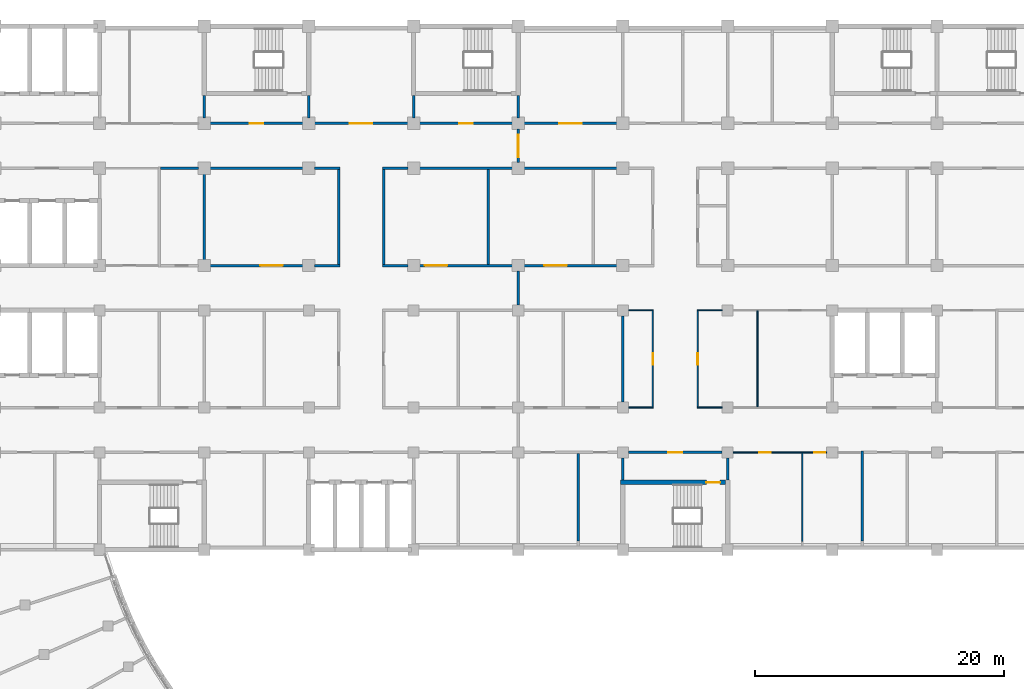
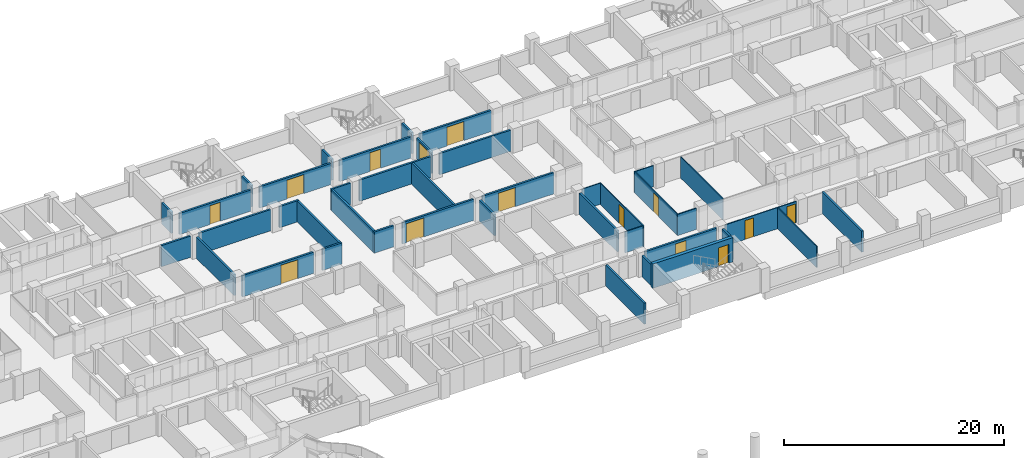
# One storey, part 49 of 89: 41 walls, 14 doors, 14 openings.
"""IFC4 building model written with IfcOpenShell, lengths in metres."""

import ifcopenshell
import ifcopenshell.guid

model = None  # the IFC model being written
_history = None  # IfcOwnerHistory: only IFC2X3 demands one
_inside = {}  # id of a spatial element -> (the spatial element, [elements in it])
_under = {}  # id of a project, library or spatial element -> (it, [spatial elements below it])
_declared = {}  # id of a project -> (the project, [libraries it declares])
_typed = {}  # id of a type object -> (the type object, [elements of that type])
_made_of = {}  # id of a material, layer set ... -> (it, [elements and type objects made of it])


def new_model(schema):
    """Start an empty IFC model of exactly this schema.

    Asked for "IFC4X3", IfcOpenShell would pick the latest addendum, in which some entities
    have other attributes; the version numbers below select the first issue.
    IFC2X3 requires an IfcOwnerHistory on every rooted entity: one is made here for all.
    """
    global model, _history
    if schema == "IFC4X3":
        model = ifcopenshell.file(schema_version=(4, 3, 0, 0))
    else:
        model = ifcopenshell.file(schema=schema)
    _inside.clear()
    _under.clear()
    _declared.clear()
    _typed.clear()
    _made_of.clear()
    _history = None
    if model.schema == "IFC2X3":
        org = make("IfcOrganization", Name="unknown")
        user = make(
            "IfcPersonAndOrganization",
            ThePerson=make("IfcPerson", FamilyName="unknown"),
            TheOrganization=org,
        )
        app = make(
            "IfcApplication",
            ApplicationDeveloper=org,
            Version="unknown",
            ApplicationFullName="unknown",
            ApplicationIdentifier="unknown",
        )
        _history = make(
            "IfcOwnerHistory",
            OwningUser=user,
            OwningApplication=app,
            ChangeAction="ADDED",
            CreationDate=0,
        )
    return model


def make(cls, **values):
    """One entity of the class cls with the attributes given. An attribute that is None is left unset."""
    return model.create_entity(
        cls, **{name: value for name, value in values.items() if value is not None}
    )


def rooted(cls, **values):
    """An entity with a GlobalId (a new one), such as an element, a storey or a relation."""
    return make(cls, GlobalId=ifcopenshell.guid.new(), OwnerHistory=_history, **values)


def si_unit(unit_type, name, prefix=None):
    """IfcSIUnit, for example si_unit("LENGTHUNIT", "METRE", prefix="MILLI")."""
    return make("IfcSIUnit", UnitType=unit_type, Prefix=prefix, Name=name)


def assignment(units):
    """IfcUnitAssignment: the units of a project."""
    return None if units is None else make("IfcUnitAssignment", Units=units)


def point(xyz):
    """IfcCartesianPoint."""
    return None if xyz is None else make("IfcCartesianPoint", Coordinates=xyz)


def direction(xyz):
    """IfcDirection."""
    return None if xyz is None else make("IfcDirection", DirectionRatios=xyz)


def frame(location, z_axis=None, x_axis=None):
    """IfcAxis2Placement3D, a coordinate frame: its origin and axes. An axis left out is left unset."""
    return make(
        "IfcAxis2Placement3D",
        Location=point(location),
        Axis=direction(z_axis),
        RefDirection=direction(x_axis),
    )


def frame_2d(location, x_axis=None):
    """IfcAxis2Placement2D, a coordinate frame in the plane: its origin and x axis."""
    return make(
        "IfcAxis2Placement2D", Location=point(location), RefDirection=direction(x_axis)
    )


def origin():
    """The frame at (0, 0, 0) with its axes left unset."""
    return frame((0.0, 0.0, 0.0))


def place(relative_to, where):
    """IfcLocalPlacement: puts the frame where relative to a parent placement (None: the world)."""
    return make(
        "IfcLocalPlacement", PlacementRelTo=relative_to, RelativePlacement=where
    )


def context(
    kind, dimensions, precision=None, world=None, true_north=None, identifier=None
):
    """IfcGeometricRepresentationContext, for example the 3D "Model" context."""
    return make(
        "IfcGeometricRepresentationContext",
        ContextIdentifier=identifier,
        ContextType=kind,
        CoordinateSpaceDimension=dimensions,
        Precision=precision,
        WorldCoordinateSystem=world,
        TrueNorth=true_north,
    )


def subcontext(parent, identifier, kind, view, scale=None):
    """IfcGeometricRepresentationSubContext, for example "Body" below "Model"."""
    return make(
        "IfcGeometricRepresentationSubContext",
        ContextIdentifier=identifier,
        ContextType=kind,
        ParentContext=parent,
        TargetScale=scale,
        TargetView=view,
    )


def project(units=None, contexts=None):
    """IfcProject with its units and contexts."""
    return rooted(
        "IfcProject",
        Name="project",
        RepresentationContexts=contexts,
        UnitsInContext=assignment(units),
    )


def spatial(cls, under=None, at=None, **own):
    """A site, building, storey or space (cls), placed at a placement, below another one or the project."""
    s = rooted(cls, ObjectPlacement=at, **own)
    if under is not None:
        _under.setdefault(under.id(), (under, []))[1].append(s)
    return s


def profile(cls, at=None, kind="AREA", **sizes):
    """A parametric profile (cls). Its sizes go by their IFC names, for example OverallWidth=200.0."""
    return make(cls, ProfileType=kind, Position=at, **sizes)


def rectangle(**sizes):
    """IfcRectangleProfileDef."""
    return profile("IfcRectangleProfileDef", **sizes)


def extrude(swept, where, along, depth):
    """IfcExtrudedAreaSolid: the profile swept, set in the frame where, extruded along a direction by depth."""
    return make(
        "IfcExtrudedAreaSolid",
        SweptArea=swept,
        Position=where,
        ExtrudedDirection=direction(along),
        Depth=depth,
    )


def shape(context_of_items, identifier, shape_type, items):
    """IfcShapeRepresentation: the items that make up one representation, for example the "Body"."""
    return make(
        "IfcShapeRepresentation",
        ContextOfItems=context_of_items,
        RepresentationIdentifier=identifier,
        RepresentationType=shape_type,
        Items=items,
    )


def material(Name=None, Category=None):
    """IfcMaterial."""
    return make("IfcMaterial", Name=Name, Category=Category)


def layer(
    of_material, thickness, ventilated=None, Name=None, Category=None, Priority=None
):
    """IfcMaterialLayer: one layer of a wall or slab, of a material (None: an air gap)."""
    return make(
        "IfcMaterialLayer",
        Material=of_material,
        LayerThickness=thickness,
        IsVentilated=ventilated,
        Name=Name,
        Category=Category,
        Priority=Priority,
    )


def layer_set(layers, Name=None):
    """IfcMaterialLayerSet."""
    return make("IfcMaterialLayerSet", MaterialLayers=layers, LayerSetName=Name)


def made_of(thing, what):
    """Note that an element or type object is made of a material, layer set ...; save() writes the relation."""
    if what is not None:
        _made_of.setdefault(what.id(), (what, []))[1].append(thing)
    return thing


def type_object(cls, material=None, **own):
    """A type object (cls), such as IfcWallType, which elements share."""
    return made_of(rooted(cls, **own), material)


def element(
    cls,
    number,
    at=None,
    inside=None,
    cuts=None,
    type_object=None,
    material=None,
    context=None,
    identifier="Body",
    shape_type=None,
    held_by="IfcProductDefinitionShape",
    body=None,
    shapes=None,
    **own,
):
    """One element of the class cls, such as IfcWall. Its Tag is "e" and its number.

    at: its placement. inside: the storey or other place that contains it. cuts: it is an
    opening in that element (IfcRelVoidsElement). A single representation is given by context,
    identifier, shape_type and body (its items); several are given by shapes. held_by: the class
    of the entity that holds the representations. save() writes the other relations.
    """
    e = rooted(cls, Tag="e%d" % number, ObjectPlacement=at, **own)
    if body is not None:
        shapes = [shape(context, identifier, shape_type, body)]
    if shapes is not None:
        e.Representation = make(held_by, Representations=shapes)
    if inside is not None:
        _inside.setdefault(inside.id(), (inside, []))[1].append(e)
    if cuts is not None:
        rooted(
            "IfcRelVoidsElement", RelatingBuildingElement=cuts, RelatedOpeningElement=e
        )
    if type_object is not None:
        _typed.setdefault(type_object.id(), (type_object, []))[1].append(e)
    return made_of(e, material)


def fill(opening, filler):
    """IfcRelFillsElement: the door or window that sits in an opening."""
    return rooted(
        "IfcRelFillsElement",
        RelatingOpeningElement=opening,
        RelatedBuildingElement=filler,
    )


def aggregate(whole, parts):
    """IfcRelAggregates: a whole, such as a stair, and the parts it consists of."""
    return rooted("IfcRelAggregates", RelatingObject=whole, RelatedObjects=parts)


def save(model, path):
    """Write the relations noted so far, then the file.

    IfcRelAggregates (storeys below a building ...), IfcRelContainedInSpatialStructure (elements
    in a storey), IfcRelDefinesByType, IfcRelAssociatesMaterial and IfcRelDeclares: one each for
    every whole, place, type object, material and project.
    """
    for whole, parts in _under.values():
        aggregate(whole, parts)
    for where, things in _inside.values():
        rooted(
            "IfcRelContainedInSpatialStructure",
            RelatedElements=things,
            RelatingStructure=where,
        )
    for kind, things in _typed.values():
        rooted("IfcRelDefinesByType", RelatedObjects=things, RelatingType=kind)
    for what, things in _made_of.values():
        rooted("IfcRelAssociatesMaterial", RelatedObjects=things, RelatingMaterial=what)
    for by, libraries in _declared.values():
        rooted("IfcRelDeclares", RelatingContext=by, RelatedDefinitions=libraries)
    model.write(path)


model = new_model("IFC4")

# Units and contexts
model_context = context("Model", 3, precision=1e-05, world=origin(), true_north=direction((0.0, 1.0)))
body_context = subcontext(model_context, "Body", "Model", "MODEL_VIEW")
ifc_project = project(units=[si_unit("LENGTHUNIT", "METRE"), si_unit("AREAUNIT", "SQUARE_METRE"), si_unit("VOLUMEUNIT", "CUBIC_METRE"), si_unit("PLANEANGLEUNIT", "RADIAN"), si_unit("MASSUNIT", "GRAM", prefix="KILO")], contexts=[model_context])

# Site, building, storey
site_placement = place(None, origin())
site = spatial("IfcSite", under=ifc_project, at=site_placement, CompositionType="ELEMENT")
building_placement = place(site_placement, origin())
building = spatial("IfcBuilding", under=site, at=building_placement, Name="Bougainvillea Quay General Hospital", CompositionType="ELEMENT")
storey_placement = place(building_placement, frame((0.0, 0.0, 9.89990234375)))
storey = spatial("IfcBuildingStorey", under=building, at=storey_placement, Name="L01M", CompositionType="ELEMENT", Elevation=9.89990234375)

# Walls
ifc_material_1 = material(Name="Gypsum board partition on steel studs", Category="steel")
ifc_layer_1 = layer(ifc_material_1, 0.10009765625)
ifc_layer_set_1 = layer_set([ifc_layer_1], Name="Gypsum board partition on steel studs")
wall_type_1 = type_object("IfcWallType", Name="Partition 100 Gypsum board partition", PredefinedType="PARTITIONING", material=ifc_layer_set_1)
for number, where, z_axis, x_axis, name in (
    (1, (125.550048828125, 136.800048828125, 0.0), (0.0, 0.0, 1.0), (-1.0, 0.0, 0.0), "Partition 100 mm"),
    (2, (123.550048828125, 129.0, 0.0), (0.0, 0.0, 1.0), (1.0, 0.0, 0.0), "Partition 100 mm"),
):
    element("IfcWall", number, at=place(storey_placement, frame(where, z_axis=z_axis, x_axis=x_axis)), inside=storey, type_object=wall_type_1, Name=name, PredefinedType="PARTITIONING", context=body_context, shape_type="SweptSolid", body=[
        extrude(rectangle(XDim=2.0, YDim=0.10009765625, at=frame_2d((1.0, 0.0))), origin(), (0.0, 0.0, 1.0), 2.35009765625),
    ])

# Wall, openings, doors
wall_1_placement = place(storey_placement, frame((126.449951171875, 125.39990234375, 0.0), z_axis=(0.0, 0.0, 1.0), x_axis=(1.0, 0.0, 0.0)))
wall_1 = element("IfcWall", 3, at=wall_1_placement, inside=storey, type_object=wall_type_1, Name="Partition 100 mm", PredefinedType="PARTITIONING", context=body_context, shape_type="SweptSolid", body=[
    extrude(rectangle(XDim=7.5, YDim=0.10009765625, at=frame_2d((3.75, 0.0))), origin(), (0.0, 0.0, 1.0), 2.35009765625),
])
opening_1_placement = place(wall_1_placement, frame((2.09912109375, 0.0, 0.0)))
opening_1 = element("IfcOpeningElement", 4, at=opening_1_placement, cuts=wall_1, Name="Opening L01M.104", PredefinedType="OPENING", context=body_context, shape_type="SweptSolid", body=[
    extrude(rectangle(XDim=0.89990234375, YDim=2.10009765625, at=frame_2d((0.449951171875, 1.050048828125))), frame((0.0, 0.06005859375, 0.0), z_axis=(0.0, -1.0, 0.0), x_axis=(1.0, 0.0, 0.0)), (0.0, 0.0, 1.0), 0.1201171875),
])
opening_2_placement = place(wall_1_placement, frame((6.498046875, 0.0, 0.0)))
opening_2 = element("IfcOpeningElement", 5, at=opening_2_placement, cuts=wall_1, Name="Opening L01M.105", PredefinedType="OPENING", context=body_context, shape_type="SweptSolid", body=[
    extrude(rectangle(XDim=0.89990234375, YDim=2.10009765625, at=frame_2d((0.449951171875, 1.050048828125))), frame((0.0, 0.06005859375, 0.0), z_axis=(0.0, -1.0, 0.0), x_axis=(1.0, 0.0, 0.0)), (0.0, 0.0, 1.0), 0.1201171875),
])
ifc_material_2 = material(Name="Solid-core timber door leaf in steel frame", Category="steel")
door_type_1 = type_object("IfcDoorType", Name="Single leaf door 900x2100", OperationType="NOTDEFINED", PredefinedType="DOOR", material=ifc_material_2)
door_1_placement = place(opening_1_placement, frame((0.89990234375, 0.0, 0.0), z_axis=(0.0, 0.0, 1.0), x_axis=(-1.0, 0.0, 0.0)))
door_1 = element("IfcDoor", 6, at=door_1_placement, inside=storey, type_object=door_type_1, Name="DT07 L01M.104", OperationType="SINGLE_SWING_RIGHT", OverallHeight=2.10009765625, OverallWidth=0.89990234375, PredefinedType="DOOR", context=body_context, shape_type="SweptSolid", body=[
    extrude(rectangle(XDim=0.89990234375, YDim=2.10009765625, at=frame_2d((0.449951171875, 1.050048828125))), frame((0.0, 0.02490234375, 0.0), z_axis=(0.0, -1.0, 0.0), x_axis=(1.0, 0.0, 0.0)), (0.0, 0.0, 1.0), 0.050048828125),
])
fill(opening_1, door_1)
door_2_placement = place(opening_2_placement, frame((0.89990234375, 0.0, 0.0), z_axis=(0.0, 0.0, 1.0), x_axis=(-1.0, 0.0, 0.0)))
door_2 = element("IfcDoor", 7, at=door_2_placement, inside=storey, type_object=door_type_1, Name="DT07 L01M.105", OperationType="SINGLE_SWING_LEFT", OverallHeight=2.10009765625, OverallWidth=0.89990234375, PredefinedType="DOOR", context=body_context, shape_type="SweptSolid", body=[
    extrude(rectangle(XDim=0.89990234375, YDim=2.10009765625, at=frame_2d((0.449951171875, 1.050048828125))), frame((0.0, 0.02490234375, 0.0), z_axis=(0.0, -1.0, 0.0), x_axis=(1.0, 0.0, 0.0)), (0.0, 0.0, 1.0), 0.050048828125),
])
fill(opening_2, door_2)

# Wall
wall_2_placement = place(storey_placement, frame((131.998046875, 118.25, 0.0), z_axis=(0.0, 0.0, 1.0), x_axis=(0.0, 1.0, 0.0)))
element("IfcWall", 8, at=wall_2_placement, inside=storey, type_object=wall_type_1, Name="Partition 100 mm", PredefinedType="PARTITIONING", context=body_context, shape_type="SweptSolid", body=[
    extrude(rectangle(XDim=7.10009765625, YDim=0.10009765625, at=frame_2d((3.550048828125, 0.0))), origin(), (0.0, 0.0, 1.0), 2.35009765625),
])

# Wall, opening, door
wall_3_placement = place(storey_placement, frame((120.0, 128.949951171875, 0.0), z_axis=(0.0, 0.0, 1.0), x_axis=(0.0, 1.0, 0.0)))
wall_3 = element("IfcWall", 9, at=wall_3_placement, inside=storey, type_object=wall_type_1, Name="Partition 100 mm", PredefinedType="PARTITIONING", context=body_context, shape_type="SweptSolid", body=[
    extrude(rectangle(XDim=7.900146484375, YDim=0.10009765625, at=frame_2d((3.9501953125, 0.0))), origin(), (0.0, 0.0, 1.0), 2.35009765625),
])
opening_3_placement = place(wall_3_placement, frame((3.5, 0.0, 0.0)))
opening_3 = element("IfcOpeningElement", 10, at=opening_3_placement, cuts=wall_3, Name="Opening L01M.109", PredefinedType="OPENING", context=body_context, shape_type="SweptSolid", body=[
    extrude(rectangle(XDim=0.89990234375, YDim=2.10009765625, at=frame_2d((0.449951171875, 1.050048828125))), frame((0.0, 0.06005859375, 0.0), z_axis=(0.0, -1.0, 0.0), x_axis=(1.0, 0.0, 0.0)), (0.0, 0.0, 1.0), 0.1201171875),
])
door_3_placement = place(opening_3_placement, origin())
door_3 = element("IfcDoor", 11, at=door_3_placement, inside=storey, type_object=door_type_1, Name="DT07 L01M.109", OperationType="SINGLE_SWING_LEFT", OverallHeight=2.10009765625, OverallWidth=0.89990234375, PredefinedType="DOOR", context=body_context, shape_type="SweptSolid", body=[
    extrude(rectangle(XDim=0.89990234375, YDim=2.10009765625, at=frame_2d((0.449951171875, 1.050048828125))), frame((0.0, 0.02490234375, 0.0), z_axis=(0.0, -1.0, 0.0), x_axis=(1.0, 0.0, 0.0)), (0.0, 0.0, 1.0), 0.050048828125),
])
fill(opening_3, door_3)

wall_4_placement = place(storey_placement, frame((123.60009765625, 129.050048828125, 0.0), z_axis=(0.0, 0.0, 1.0), x_axis=(0.0, 1.0, 0.0)))
wall_4 = element("IfcWall", 12, at=wall_4_placement, inside=storey, type_object=wall_type_1, Name="Partition 100 mm", PredefinedType="PARTITIONING", context=body_context, shape_type="SweptSolid", body=[
    extrude(rectangle(XDim=7.699951171875, YDim=0.10009765625, at=frame_2d((3.85009765625, 0.0))), origin(), (0.0, 0.0, 1.0), 2.35009765625),
])
opening_4_placement = place(wall_4_placement, frame((3.39990234375, 0.0, 0.0)))
opening_4 = element("IfcOpeningElement", 13, at=opening_4_placement, cuts=wall_4, Name="Opening L01M.110", PredefinedType="OPENING", context=body_context, shape_type="SweptSolid", body=[
    extrude(rectangle(XDim=0.89990234375, YDim=2.10009765625, at=frame_2d((0.449951171875, 1.050048828125))), frame((0.0, 0.06005859375, 0.0), z_axis=(0.0, -1.0, 0.0), x_axis=(1.0, 0.0, 0.0)), (0.0, 0.0, 1.0), 0.1201171875),
])
door_4_placement = place(opening_4_placement, frame((0.89990234375, 0.0, 0.0), z_axis=(0.0, 0.0, 1.0), x_axis=(-1.0, 0.0, 0.0)))
door_4 = element("IfcDoor", 14, at=door_4_placement, inside=storey, type_object=door_type_1, Name="DT07 L01M.110", OperationType="SINGLE_SWING_RIGHT", OverallHeight=2.10009765625, OverallWidth=0.89990234375, PredefinedType="DOOR", context=body_context, shape_type="SweptSolid", body=[
    extrude(rectangle(XDim=0.89990234375, YDim=2.10009765625, at=frame_2d((0.449951171875, 1.050048828125))), frame((0.0, 0.02490234375, 0.0), z_axis=(0.0, -1.0, 0.0), x_axis=(1.0, 0.0, 0.0)), (0.0, 0.0, 1.0), 0.050048828125),
])
fill(opening_4, door_4)

# Walls
wall_5_placement = place(storey_placement, frame((128.39990234375, 129.050048828125, 0.0), z_axis=(0.0, 0.0, 1.0), x_axis=(0.0, 1.0, 0.0)))
element("IfcWall", 15, at=wall_5_placement, inside=storey, type_object=wall_type_1, Name="Partition 100 mm", PredefinedType="PARTITIONING", context=body_context, shape_type="SweptSolid", body=[
    extrude(rectangle(XDim=7.699951171875, YDim=0.10009765625, at=frame_2d((3.85009765625, 0.0))), origin(), (0.0, 0.0, 1.0), 2.35009765625),
])
for number, where, z_axis, x_axis, name in (
    (16, (118.050048828125, 129.0, 0.0), (0.0, 0.0, 1.0), (1.0, 0.0, 0.0), "Partition 100 mm"),
    (17, (118.050048828125, 136.800048828125, 0.0), (0.0, 0.0, 1.0), (1.0, 0.0, 0.0), "Partition 100 mm"),
):
    element("IfcWall", number, at=place(storey_placement, frame(where, z_axis=z_axis, x_axis=x_axis)), inside=storey, type_object=wall_type_1, Name=name, PredefinedType="PARTITIONING", context=body_context, shape_type="SweptSolid", body=[
        extrude(rectangle(XDim=1.89990234375, YDim=0.10009765625, at=frame_2d((0.949951171875, 0.0))), origin(), (0.0, 0.0, 1.0), 2.35009765625),
    ])

# Wall, opening, door
ifc_material_3 = material(Name="Fire-rated autoclaved aerated block wall, plastered")
ifc_layer_2 = layer(ifc_material_3, 0.199951171875)
ifc_layer_set_2 = layer_set([ifc_layer_2], Name="Fire-rated autoclaved aerated block wall, plastered")
wall_type_2 = type_object("IfcWallType", Name="Partition 200 Fire-rated autoclaved aerated block wall EI 120", PredefinedType="SOLIDWALL", material=ifc_layer_set_2)
wall_6_placement = place(storey_placement, frame((117.14990234375, 151.800048828125, 0.0), z_axis=(0.0, 0.0, 1.0), x_axis=(-1.0, 0.0, 0.0)))
wall_6 = element("IfcWall", 18, at=wall_6_placement, inside=storey, type_object=wall_type_2, Name="Partition 200 mm EI 120", PredefinedType="SOLIDWALL", context=body_context, shape_type="SweptSolid", body=[
    extrude(rectangle(XDim=7.5, YDim=0.199951171875, at=frame_2d((3.75, 0.0))), origin(), (0.0, 0.0, 1.0), 2.35009765625),
])
opening_5_placement = place(wall_6_placement, frame((2.85107421875, 0.0, 0.0)))
opening_5 = element("IfcOpeningElement", 19, at=opening_5_placement, cuts=wall_6, Name="Opening L01M.141", PredefinedType="OPENING", context=body_context, shape_type="SweptSolid", body=[
    extrude(rectangle(XDim=1.800048828125, YDim=2.10009765625, at=frame_2d((0.89990234375, 1.050048828125))), frame((0.0, 0.10986328125, 0.0), z_axis=(0.0, -1.0, 0.0), x_axis=(1.0, 0.0, 0.0)), (0.0, 0.0, 1.0), 0.219970703125),
])
ifc_material_4 = material(Name="Steel fire door leaves in steel frame", Category="steel")
door_type_2 = type_object("IfcDoorType", Name="Steel double leaf door 1800x2100 FD90", OperationType="DOUBLE_DOOR_SINGLE_SWING", PredefinedType="DOOR", material=ifc_material_4)
door_5_placement = place(opening_5_placement, frame((1.800048828125, 0.0, 0.0), z_axis=(0.0, 0.0, 1.0), x_axis=(-1.0, 0.0, 0.0)))
door_5 = element("IfcDoor", 20, at=door_5_placement, inside=storey, type_object=door_type_2, Name="DT03 L01M.141", OperationType="DOUBLE_DOOR_SINGLE_SWING", OverallHeight=2.10009765625, OverallWidth=1.800048828125, PredefinedType="DOOR", context=body_context, shape_type="SweptSolid", body=[
    extrude(rectangle(XDim=1.800048828125, YDim=2.10009765625, at=frame_2d((0.89990234375, 1.050048828125))), frame((0.0, 0.02490234375, 0.0), z_axis=(0.0, -1.0, 0.0), x_axis=(1.0, 0.0, 0.0)), (0.0, 0.0, 1.0), 0.050048828125),
])
fill(opening_5, door_5)

wall_7_placement = place(storey_placement, frame((108.75, 151.800048828125, 0.0), z_axis=(0.0, 0.0, 1.0), x_axis=(-1.0, 0.0, 0.0)))
wall_7 = element("IfcWall", 21, at=wall_7_placement, inside=storey, type_object=wall_type_2, Name="Partition 200 mm EI 120", PredefinedType="SOLIDWALL", context=body_context, shape_type="SweptSolid", body=[
    extrude(rectangle(XDim=7.5, YDim=0.199951171875, at=frame_2d((3.75, 0.0))), origin(), (0.0, 0.0, 1.0), 2.35009765625),
])
opening_6_placement = place(wall_7_placement, frame((3.199951171875, 0.0, 0.0)))
opening_6 = element("IfcOpeningElement", 22, at=opening_6_placement, cuts=wall_7, Name="Opening L01M.040", PredefinedType="OPENING", context=body_context, shape_type="SweptSolid", body=[
    extrude(rectangle(XDim=1.10009765625, YDim=2.10009765625, at=frame_2d((0.550048828125, 1.050048828125))), frame((0.0, 0.10986328125, 0.0), z_axis=(0.0, -1.0, 0.0), x_axis=(1.0, 0.0, 0.0)), (0.0, 0.0, 1.0), 0.219970703125),
])
ifc_material_5 = material(Name="Steel fire door leaf in steel frame", Category="steel")
door_type_3 = type_object("IfcDoorType", Name="Steel single leaf door 1100x2100 FD60", OperationType="NOTDEFINED", PredefinedType="DOOR", material=ifc_material_5)
door_6_placement = place(opening_6_placement, frame((1.10009765625, 0.0, 0.0), z_axis=(0.0, 0.0, 1.0), x_axis=(-1.0, 0.0, 0.0)))
door_6 = element("IfcDoor", 23, at=door_6_placement, inside=storey, type_object=door_type_3, Name="DT04 L01M.040", OperationType="SINGLE_SWING_RIGHT", OverallHeight=2.10009765625, OverallWidth=1.10009765625, PredefinedType="DOOR", context=body_context, shape_type="SweptSolid", body=[
    extrude(rectangle(XDim=1.10009765625, YDim=2.10009765625, at=frame_2d((0.550048828125, 1.050048828125))), frame((0.0, 0.02490234375, 0.0), z_axis=(0.0, -1.0, 0.0), x_axis=(1.0, 0.0, 0.0)), (0.0, 0.0, 1.0), 0.050048828125),
])
fill(opening_6, door_6)

wall_8_placement = place(storey_placement, frame((125.550048828125, 125.39990234375, 0.0), z_axis=(0.0, 0.0, 1.0), x_axis=(-1.0, 0.0, 0.0)))
wall_8 = element("IfcWall", 24, at=wall_8_placement, inside=storey, type_object=wall_type_2, Name="Partition 200 mm EI 120", PredefinedType="SOLIDWALL", context=body_context, shape_type="SweptSolid", body=[
    extrude(rectangle(XDim=7.5, YDim=0.199951171875, at=frame_2d((3.75, 0.0))), origin(), (0.0, 0.0, 1.0), 2.35009765625),
])
opening_7_placement = place(wall_8_placement, frame((3.199951171875, 0.0, 0.0)))
opening_7 = element("IfcOpeningElement", 25, at=opening_7_placement, cuts=wall_8, Name="Opening L01M.037", PredefinedType="OPENING", context=body_context, shape_type="SweptSolid", body=[
    extrude(rectangle(XDim=1.10009765625, YDim=2.10009765625, at=frame_2d((0.550048828125, 1.050048828125))), frame((0.0, 0.10986328125, 0.0), z_axis=(0.0, -1.0, 0.0), x_axis=(1.0, 0.0, 0.0)), (0.0, 0.0, 1.0), 0.219970703125),
])
door_7_placement = place(opening_7_placement, origin())
door_7 = element("IfcDoor", 26, at=door_7_placement, inside=storey, type_object=door_type_3, Name="DT04 L01M.037", OperationType="SINGLE_SWING_RIGHT", OverallHeight=2.10009765625, OverallWidth=1.10009765625, PredefinedType="DOOR", context=body_context, shape_type="SweptSolid", body=[
    extrude(rectangle(XDim=1.10009765625, YDim=2.10009765625, at=frame_2d((0.550048828125, 1.050048828125))), frame((0.0, 0.02490234375, 0.0), z_axis=(0.0, -1.0, 0.0), x_axis=(1.0, 0.0, 0.0)), (0.0, 0.0, 1.0), 0.050048828125),
])
fill(opening_7, door_7)

wall_9_placement = place(storey_placement, frame((117.14990234375, 140.39990234375, 0.0), z_axis=(0.0, 0.0, 1.0), x_axis=(-1.0, 0.0, 0.0)))
wall_9 = element("IfcWall", 27, at=wall_9_placement, inside=storey, type_object=wall_type_2, Name="Partition 200 mm EI 120", PredefinedType="SOLIDWALL", context=body_context, shape_type="SweptSolid", body=[
    extrude(rectangle(XDim=7.5, YDim=0.199951171875, at=frame_2d((3.75, 0.0))), origin(), (0.0, 0.0, 1.0), 2.35009765625),
])
opening_8_placement = place(wall_9_placement, frame((4.050048828125, 0.0, 0.0)))
opening_8 = element("IfcOpeningElement", 28, at=opening_8_placement, cuts=wall_9, Name="Opening L01M.145", PredefinedType="OPENING", context=body_context, shape_type="SweptSolid", body=[
    extrude(rectangle(XDim=1.800048828125, YDim=2.10009765625, at=frame_2d((0.89990234375, 1.050048828125))), frame((0.0, 0.10986328125, 0.0), z_axis=(0.0, -1.0, 0.0), x_axis=(1.0, 0.0, 0.0)), (0.0, 0.0, 1.0), 0.219970703125),
])
door_8_placement = place(opening_8_placement, frame((1.800048828125, 0.0, 0.0), z_axis=(0.0, 0.0, 1.0), x_axis=(-1.0, 0.0, 0.0)))
door_8 = element("IfcDoor", 29, at=door_8_placement, inside=storey, type_object=door_type_2, Name="DT03 L01M.145", OperationType="DOUBLE_DOOR_SINGLE_SWING", OverallHeight=2.10009765625, OverallWidth=1.800048828125, PredefinedType="DOOR", context=body_context, shape_type="SweptSolid", body=[
    extrude(rectangle(XDim=1.800048828125, YDim=2.10009765625, at=frame_2d((0.89990234375, 1.050048828125))), frame((0.0, 0.02490234375, 0.0), z_axis=(0.0, -1.0, 0.0), x_axis=(1.0, 0.0, 0.0)), (0.0, 0.0, 1.0), 0.050048828125),
])
fill(opening_8, door_8)

wall_10_placement = place(storey_placement, frame((108.75, 140.39990234375, 0.0), z_axis=(0.0, 0.0, 1.0), x_axis=(-1.0, 0.0, 0.0)))
wall_10 = element("IfcWall", 30, at=wall_10_placement, inside=storey, type_object=wall_type_2, Name="Partition 200 mm EI 120", PredefinedType="SOLIDWALL", context=body_context, shape_type="SweptSolid", body=[
    extrude(rectangle(XDim=7.5, YDim=0.199951171875, at=frame_2d((3.75, 0.0))), origin(), (0.0, 0.0, 1.0), 2.35009765625),
])
opening_9_placement = place(wall_10_placement, frame((5.25, 0.0, 0.0)))
opening_9 = element("IfcOpeningElement", 31, at=opening_9_placement, cuts=wall_10, Name="Opening L01M.144", PredefinedType="OPENING", context=body_context, shape_type="SweptSolid", body=[
    extrude(rectangle(XDim=1.800048828125, YDim=2.10009765625, at=frame_2d((0.89990234375, 1.050048828125))), frame((0.0, 0.10986328125, 0.0), z_axis=(0.0, -1.0, 0.0), x_axis=(1.0, 0.0, 0.0)), (0.0, 0.0, 1.0), 0.219970703125),
])
door_9_placement = place(opening_9_placement, frame((1.800048828125, 0.0, 0.0), z_axis=(0.0, 0.0, 1.0), x_axis=(-1.0, 0.0, 0.0)))
door_9 = element("IfcDoor", 32, at=door_9_placement, inside=storey, type_object=door_type_2, Name="DT03 L01M.144", OperationType="DOUBLE_DOOR_SINGLE_SWING", OverallHeight=2.10009765625, OverallWidth=1.800048828125, PredefinedType="DOOR", context=body_context, shape_type="SweptSolid", body=[
    extrude(rectangle(XDim=1.800048828125, YDim=2.10009765625, at=frame_2d((0.89990234375, 1.050048828125))), frame((0.0, 0.02490234375, 0.0), z_axis=(0.0, -1.0, 0.0), x_axis=(1.0, 0.0, 0.0)), (0.0, 0.0, 1.0), 0.050048828125),
])
fill(opening_9, door_9)

# Walls
wall_11_placement = place(storey_placement, frame((100.35009765625, 140.39990234375, 0.0), z_axis=(0.0, 0.0, 1.0), x_axis=(-1.0, 0.0, 0.0)))
element("IfcWall", 33, at=wall_11_placement, inside=storey, type_object=wall_type_2, Name="Partition 200 mm EI 120", PredefinedType="SOLIDWALL", context=body_context, shape_type="SweptSolid", body=[
    extrude(rectangle(XDim=2.050048828125, YDim=0.199951171875, at=frame_2d((1.02490234375, 0.0))), origin(), (0.0, 0.0, 1.0), 2.35009765625),
])
wall_12_placement = place(storey_placement, frame((109.199951171875, 139.949951171875, 0.0), z_axis=(0.0, 0.0, 1.0), x_axis=(0.0, -1.0, 0.0)))
element("IfcWall", 34, at=wall_12_placement, inside=storey, type_object=wall_type_2, Name="Partition 200 mm EI 120", PredefinedType="SOLIDWALL", context=body_context, shape_type="SweptSolid", body=[
    extrude(rectangle(XDim=2.699951171875, YDim=0.199951171875, at=frame_2d((1.35009765625, 0.0))), origin(), (0.0, 0.0, 1.0), 2.35009765625),
])
for number, where, z_axis, x_axis, name in (
    (35, (117.14990234375, 148.199951171875, 0.0), (0.0, 0.0, 1.0), (-1.0, 0.0, 0.0), "Partition 200 mm EI 120"),
    (36, (108.75, 148.199951171875, 0.0), (0.0, 0.0, 1.0), (-1.0, 0.0, 0.0), "Partition 200 mm EI 120"),
):
    element("IfcWall", number, at=place(storey_placement, frame(where, z_axis=z_axis, x_axis=x_axis)), inside=storey, type_object=wall_type_2, Name=name, PredefinedType="SOLIDWALL", context=body_context, shape_type="SweptSolid", body=[
        extrude(rectangle(XDim=7.5, YDim=0.199951171875, at=frame_2d((3.75, 0.0))), origin(), (0.0, 0.0, 1.0), 2.35009765625),
    ])
wall_13_placement = place(storey_placement, frame((100.35009765625, 148.199951171875, 0.0), z_axis=(0.0, 0.0, 1.0), x_axis=(-1.0, 0.0, 0.0)))
element("IfcWall", 37, at=wall_13_placement, inside=storey, type_object=wall_type_2, Name="Partition 200 mm EI 120", PredefinedType="SOLIDWALL", context=body_context, shape_type="SweptSolid", body=[
    extrude(rectangle(XDim=2.050048828125, YDim=0.199951171875, at=frame_2d((1.02490234375, 0.0))), origin(), (0.0, 0.0, 1.0), 2.35009765625),
])

# Wall, opening, door
wall_14_placement = place(storey_placement, frame((84.449951171875, 151.800048828125, 0.0), z_axis=(0.0, 0.0, 1.0), x_axis=(1.0, 0.0, 0.0)))
wall_14 = element("IfcWall", 38, at=wall_14_placement, inside=storey, type_object=wall_type_2, Name="Partition 200 mm EI 120", PredefinedType="SOLIDWALL", context=body_context, shape_type="SweptSolid", body=[
    extrude(rectangle(XDim=7.5, YDim=0.199951171875, at=frame_2d((3.75, 0.0))), origin(), (0.0, 0.0, 1.0), 2.35009765625),
])
opening_10_placement = place(wall_14_placement, frame((3.199951171875, 0.0, 0.0)))
opening_10 = element("IfcOpeningElement", 39, at=opening_10_placement, cuts=wall_14, Name="Opening L01M.032", PredefinedType="OPENING", context=body_context, shape_type="SweptSolid", body=[
    extrude(rectangle(XDim=1.10009765625, YDim=2.10009765625, at=frame_2d((0.550048828125, 1.050048828125))), frame((0.0, 0.10986328125, 0.0), z_axis=(0.0, -1.0, 0.0), x_axis=(1.0, 0.0, 0.0)), (0.0, 0.0, 1.0), 0.219970703125),
])
door_10_placement = place(opening_10_placement, origin())
door_10 = element("IfcDoor", 40, at=door_10_placement, inside=storey, type_object=door_type_3, Name="DT04 L01M.032", OperationType="SINGLE_SWING_RIGHT", OverallHeight=2.10009765625, OverallWidth=1.10009765625, PredefinedType="DOOR", context=body_context, shape_type="SweptSolid", body=[
    extrude(rectangle(XDim=1.10009765625, YDim=2.10009765625, at=frame_2d((0.550048828125, 1.050048828125))), frame((0.0, 0.02490234375, 0.0), z_axis=(0.0, -1.0, 0.0), x_axis=(1.0, 0.0, 0.0)), (0.0, 0.0, 1.0), 0.050048828125),
])
fill(opening_10, door_10)

wall_15_placement = place(storey_placement, frame((92.85009765625, 151.800048828125, 0.0), z_axis=(0.0, 0.0, 1.0), x_axis=(1.0, 0.0, 0.0)))
wall_15 = element("IfcWall", 41, at=wall_15_placement, inside=storey, type_object=wall_type_2, Name="Partition 200 mm EI 120", PredefinedType="SOLIDWALL", context=body_context, shape_type="SweptSolid", body=[
    extrude(rectangle(XDim=7.5, YDim=0.199951171875, at=frame_2d((3.75, 0.0))), origin(), (0.0, 0.0, 1.0), 2.35009765625),
])
opening_11_placement = place(wall_15_placement, frame((2.84912109375, 0.0, 0.0)))
opening_11 = element("IfcOpeningElement", 42, at=opening_11_placement, cuts=wall_15, Name="Opening L01M.140", PredefinedType="OPENING", context=body_context, shape_type="SweptSolid", body=[
    extrude(rectangle(XDim=1.800048828125, YDim=2.10009765625, at=frame_2d((0.89990234375, 1.050048828125))), frame((0.0, 0.10986328125, 0.0), z_axis=(0.0, -1.0, 0.0), x_axis=(1.0, 0.0, 0.0)), (0.0, 0.0, 1.0), 0.219970703125),
])
door_11_placement = place(opening_11_placement, origin())
door_11 = element("IfcDoor", 43, at=door_11_placement, inside=storey, type_object=door_type_2, Name="DT03 L01M.140", OperationType="DOUBLE_DOOR_SINGLE_SWING", OverallHeight=2.10009765625, OverallWidth=1.800048828125, PredefinedType="DOOR", context=body_context, shape_type="SweptSolid", body=[
    extrude(rectangle(XDim=1.800048828125, YDim=2.10009765625, at=frame_2d((0.89990234375, 1.050048828125))), frame((0.0, 0.02490234375, 0.0), z_axis=(0.0, -1.0, 0.0), x_axis=(1.0, 0.0, 0.0)), (0.0, 0.0, 1.0), 0.050048828125),
])
fill(opening_11, door_11)

# Wall
wall_16_placement = place(storey_placement, frame((109.199951171875, 154.02490234375, 0.0), z_axis=(0.0, 0.0, 1.0), x_axis=(0.0, -1.0, 0.0)))
element("IfcWall", 44, at=wall_16_placement, inside=storey, type_object=wall_type_2, Name="Partition 200 mm EI 120", PredefinedType="SOLIDWALL", context=body_context, shape_type="SweptSolid", body=[
    extrude(rectangle(XDim=1.77490234375, YDim=0.199951171875, at=frame_2d((0.887451171875, 0.0))), origin(), (0.0, 0.0, 1.0), 2.35009765625),
])

# Wall, opening, door
wall_17_placement = place(storey_placement, frame((109.199951171875, 151.35009765625, 0.0), z_axis=(0.0, 0.0, 1.0), x_axis=(0.0, -1.0, 0.0)))
wall_17 = element("IfcWall", 45, at=wall_17_placement, inside=storey, type_object=wall_type_2, Name="Partition 200 mm EI 120", PredefinedType="SOLIDWALL", context=body_context, shape_type="SweptSolid", body=[
    extrude(rectangle(XDim=2.7001953125, YDim=0.199951171875, at=frame_2d((1.35009765625, 0.0))), origin(), (0.0, 0.0, 1.0), 2.35009765625),
])
opening_12_placement = place(wall_17_placement, frame((0.449951171875, 0.0, 0.0)))
opening_12 = element("IfcOpeningElement", 46, at=opening_12_placement, cuts=wall_17, Name="Opening L01M.014", PredefinedType="OPENING", context=body_context, shape_type="SweptSolid", body=[
    extrude(rectangle(XDim=1.800048828125, YDim=2.10009765625, at=frame_2d((0.89990234375, 1.050048828125))), frame((0.0, 0.10986328125, 0.0), z_axis=(0.0, -1.0, 0.0), x_axis=(1.0, 0.0, 0.0)), (0.0, 0.0, 1.0), 0.219970703125),
])
door_12_placement = place(opening_12_placement, frame((1.800048828125, 0.0, 0.0), z_axis=(0.0, 0.0, 1.0), x_axis=(-1.0, 0.0, 0.0)))
door_12 = element("IfcDoor", 47, at=door_12_placement, inside=storey, type_object=door_type_2, Name="DT03 L01M.014", OperationType="DOUBLE_DOOR_SINGLE_SWING", OverallHeight=2.10009765625, OverallWidth=1.800048828125, PredefinedType="DOOR", context=body_context, shape_type="SweptSolid", body=[
    extrude(rectangle(XDim=1.800048828125, YDim=2.10009765625, at=frame_2d((0.89990234375, 1.050048828125))), frame((0.0, 0.02490234375, 0.0), z_axis=(0.0, -1.0, 0.0), x_axis=(1.0, 0.0, 0.0)), (0.0, 0.0, 1.0), 0.050048828125),
])
fill(opening_12, door_12)

wall_18_placement = place(storey_placement, frame((84.449951171875, 140.39990234375, 0.0), z_axis=(0.0, 0.0, 1.0), x_axis=(1.0, 0.0, 0.0)))
wall_18 = element("IfcWall", 48, at=wall_18_placement, inside=storey, type_object=wall_type_2, Name="Partition 200 mm EI 120", PredefinedType="SOLIDWALL", context=body_context, shape_type="SweptSolid", body=[
    extrude(rectangle(XDim=7.5, YDim=0.199951171875, at=frame_2d((3.75, 0.0))), origin(), (0.0, 0.0, 1.0), 2.35009765625),
])
opening_13_placement = place(wall_18_placement, frame((4.050048828125, 0.0, 0.0)))
opening_13 = element("IfcOpeningElement", 49, at=opening_13_placement, cuts=wall_18, Name="Opening L01M.139", PredefinedType="OPENING", context=body_context, shape_type="SweptSolid", body=[
    extrude(rectangle(XDim=1.800048828125, YDim=2.10009765625, at=frame_2d((0.89990234375, 1.050048828125))), frame((0.0, 0.10986328125, 0.0), z_axis=(0.0, -1.0, 0.0), x_axis=(1.0, 0.0, 0.0)), (0.0, 0.0, 1.0), 0.219970703125),
])
door_13_placement = place(opening_13_placement, origin())
door_13 = element("IfcDoor", 50, at=door_13_placement, inside=storey, type_object=door_type_2, Name="DT03 L01M.139", OperationType="DOUBLE_DOOR_SINGLE_SWING", OverallHeight=2.10009765625, OverallWidth=1.800048828125, PredefinedType="DOOR", context=body_context, shape_type="SweptSolid", body=[
    extrude(rectangle(XDim=1.800048828125, YDim=2.10009765625, at=frame_2d((0.89990234375, 1.050048828125))), frame((0.0, 0.02490234375, 0.0), z_axis=(0.0, -1.0, 0.0), x_axis=(1.0, 0.0, 0.0)), (0.0, 0.0, 1.0), 0.050048828125),
])
fill(opening_13, door_13)

# Walls
wall_19_placement = place(storey_placement, frame((92.85009765625, 140.39990234375, 0.0), z_axis=(0.0, 0.0, 1.0), x_axis=(1.0, 0.0, 0.0)))
element("IfcWall", 51, at=wall_19_placement, inside=storey, type_object=wall_type_2, Name="Partition 200 mm EI 120", PredefinedType="SOLIDWALL", context=body_context, shape_type="SweptSolid", body=[
    extrude(rectangle(XDim=2.0498046875, YDim=0.199951171875, at=frame_2d((1.02490234375, 0.0))), origin(), (0.0, 0.0, 1.0), 2.35009765625),
])
wall_20_placement = place(storey_placement, frame((84.449951171875, 148.199951171875, 0.0), z_axis=(0.0, 0.0, 1.0), x_axis=(1.0, 0.0, 0.0)))
element("IfcWall", 52, at=wall_20_placement, inside=storey, type_object=wall_type_2, Name="Partition 200 mm EI 120", PredefinedType="SOLIDWALL", context=body_context, shape_type="SweptSolid", body=[
    extrude(rectangle(XDim=7.5, YDim=0.199951171875, at=frame_2d((3.75, 0.0))), origin(), (0.0, 0.0, 1.0), 2.35009765625),
])
wall_21_placement = place(storey_placement, frame((92.85009765625, 148.199951171875, 0.0), z_axis=(0.0, 0.0, 1.0), x_axis=(1.0, 0.0, 0.0)))
element("IfcWall", 53, at=wall_21_placement, inside=storey, type_object=wall_type_2, Name="Partition 200 mm EI 120", PredefinedType="SOLIDWALL", context=body_context, shape_type="SweptSolid", body=[
    extrude(rectangle(XDim=2.0498046875, YDim=0.199951171875, at=frame_2d((1.02490234375, 0.0))), origin(), (0.0, 0.0, 1.0), 2.35009765625),
])
for number, where, z_axis, x_axis, name in (
    (54, (92.39990234375, 152.25, 0.0), (0.0, 0.0, 1.0), (0.0, 1.0, 0.0), "Partition 200 mm EI 120"),
    (55, (100.798095703125, 152.25, 0.0), (0.0, 0.0, 1.0), (0.0, 1.0, 0.0), "Partition 200 mm EI 120"),
    (56, (117.60009765625, 123.175048828125, 0.0), (0.0, 0.0, 1.0), (0.0, 1.0, 0.0), "Partition 200 mm EI 120"),
):
    element("IfcWall", number, at=place(storey_placement, frame(where, z_axis=z_axis, x_axis=x_axis)), inside=storey, type_object=wall_type_2, Name=name, PredefinedType="SOLIDWALL", context=body_context, shape_type="SweptSolid", body=[
        extrude(rectangle(XDim=1.77490234375, YDim=0.199951171875, at=frame_2d((0.887451171875, 0.0))), origin(), (0.0, 0.0, 1.0), 2.35009765625),
    ])
wall_22_placement = place(storey_placement, frame((114.0, 118.300048828125, 0.0), z_axis=(0.0, 0.0, 1.0), x_axis=(0.0, 1.0, 0.0)))
element("IfcWall", 57, at=wall_22_placement, inside=storey, type_object=wall_type_2, Name="Partition 200 mm EI 120", PredefinedType="SOLIDWALL", context=body_context, shape_type="SweptSolid", body=[
    extrude(rectangle(XDim=7.0, YDim=0.199951171875, at=frame_2d((3.5, 0.0))), origin(), (0.0, 0.0, 1.0), 2.35009765625),
])
wall_23_placement = place(storey_placement, frame((117.60009765625, 129.449951171875, 0.0), z_axis=(0.0, 0.0, 1.0), x_axis=(0.0, 1.0, 0.0)))
element("IfcWall", 58, at=wall_23_placement, inside=storey, type_object=wall_type_2, Name="Partition 200 mm EI 120", PredefinedType="SOLIDWALL", context=body_context, shape_type="SweptSolid", body=[
    extrude(rectangle(XDim=6.900146484375, YDim=0.199951171875, at=frame_2d((3.4501953125, 0.0))), origin(), (0.0, 0.0, 1.0), 2.35009765625),
])
wall_24_placement = place(storey_placement, frame((84.0, 140.85009765625, 0.0), z_axis=(0.0, 0.0, 1.0), x_axis=(0.0, 1.0, 0.0)))
element("IfcWall", 59, at=wall_24_placement, inside=storey, type_object=wall_type_2, Name="Partition 200 mm EI 120", PredefinedType="SOLIDWALL", context=body_context, shape_type="SweptSolid", body=[
    extrude(rectangle(XDim=6.89990234375, YDim=0.199951171875, at=frame_2d((3.449951171875, 0.0))), origin(), (0.0, 0.0, 1.0), 2.35009765625),
])
for number, where, z_axis, x_axis, name in (
    (60, (94.800048828125, 140.5, 0.0), (0.0, 0.0, 1.0), (0.0, 1.0, 0.0), "Partition 200 mm EI 120"),
    (61, (98.39990234375, 140.5, 0.0), (0.0, 0.0, 1.0), (0.0, 1.0, 0.0), "Partition 200 mm EI 120"),
    (62, (106.800048828125, 140.5, 0.0), (0.0, 0.0, 1.0), (0.0, 1.0, 0.0), "Partition 200 mm EI 120"),
):
    element("IfcWall", number, at=place(storey_placement, frame(where, z_axis=z_axis, x_axis=x_axis)), inside=storey, type_object=wall_type_2, Name=name, PredefinedType="SOLIDWALL", context=body_context, shape_type="SweptSolid", body=[
        extrude(rectangle(XDim=7.60009765625, YDim=0.199951171875, at=frame_2d((3.800048828125, 0.0))), origin(), (0.0, 0.0, 1.0), 2.35009765625),
    ])
for number, where, z_axis, x_axis, name in (
    (63, (126.0, 123.175048828125, 0.0), (0.0, 0.0, 1.0), (0.0, 1.0, 0.0), "Partition 200 mm EI 120"),
    (64, (84.0, 152.25, 0.0), (0.0, 0.0, 1.0), (0.0, 1.0, 0.0), "Partition 200 mm EI 120"),
):
    element("IfcWall", number, at=place(storey_placement, frame(where, z_axis=z_axis, x_axis=x_axis)), inside=storey, type_object=wall_type_2, Name=name, PredefinedType="SOLIDWALL", context=body_context, shape_type="SweptSolid", body=[
        extrude(rectangle(XDim=1.77490234375, YDim=0.199951171875, at=frame_2d((0.887451171875, 0.0))), origin(), (0.0, 0.0, 1.0), 2.35009765625),
    ])
ifc_layer_3 = layer(ifc_material_3, 0.199951171875)
ifc_layer_set_3 = layer_set([ifc_layer_3], Name="Fire-rated autoclaved aerated block wall, plastered")
wall_type_3 = type_object("IfcWallType", Name="Partition 200 Fire-rated autoclaved aerated block wall EI 60", PredefinedType="SOLIDWALL", material=ifc_layer_set_3)
wall_25_placement = place(storey_placement, frame((136.798095703125, 118.300048828125, 0.0), z_axis=(0.0, 0.0, 1.0), x_axis=(0.0, 1.0, 0.0)))
element("IfcWall", 65, at=wall_25_placement, inside=storey, type_object=wall_type_3, Name="Partition 200 mm EI 60", PredefinedType="SOLIDWALL", context=body_context, shape_type="SweptSolid", body=[
    extrude(rectangle(XDim=7.199951171875, YDim=0.199951171875, at=frame_2d((3.60009765625, 0.0))), origin(), (0.0, 0.0, 1.0), 2.35009765625),
])
wall_26_placement = place(storey_placement, frame((80.5, 148.199951171875, 0.0), z_axis=(0.0, 0.0, 1.0), x_axis=(1.0, 0.0, 0.0)))
element("IfcWall", 66, at=wall_26_placement, inside=storey, type_object=wall_type_3, Name="Partition 200 mm EI 60", PredefinedType="SOLIDWALL", context=body_context, shape_type="SweptSolid", body=[
    extrude(rectangle(XDim=3.050048828125, YDim=0.199951171875, at=frame_2d((1.52490234375, 0.0))), origin(), (0.0, 0.0, 1.0), 2.35009765625),
])

# Wall, opening, door
ifc_material_6 = material(Name="Concrete C40", Category="concrete")
ifc_layer_4 = layer(ifc_material_6, 0.35009765625)
ifc_layer_set_4 = layer_set([ifc_layer_4], Name="Concrete C40")
wall_type_4 = type_object("IfcWallType", Name="RC SHEAR WALL 350 C40", PredefinedType="SHEAR", material=ifc_layer_set_4)
wall_27_placement = place(storey_placement, frame((117.425048828125, 123.0, 0.0), z_axis=(0.0, 0.0, 1.0), x_axis=(1.0, 0.0, 0.0)))
wall_27 = element("IfcWall", 67, at=wall_27_placement, inside=storey, type_object=wall_type_4, Name="Shear wall L01M", PredefinedType="SHEAR", context=body_context, shape_type="SweptSolid", body=[
    extrude(rectangle(XDim=8.39990234375, YDim=0.35009765625, at=frame_2d((4.199951171875, 0.0))), origin(), (0.0, 0.0, 1.0), 2.7001953125),
])
opening_14_placement = place(wall_27_placement, frame((6.875, 0.0, 0.0)))
opening_14 = element("IfcOpeningElement", 68, at=opening_14_placement, cuts=wall_27, Name="Opening L01M.023", PredefinedType="OPENING", context=body_context, shape_type="SweptSolid", body=[
    extrude(rectangle(XDim=1.10009765625, YDim=2.10009765625, at=frame_2d((0.550048828125, 1.050048828125))), frame((0.0, 0.18505859375, 0.0), z_axis=(0.0, -1.0, 0.0), x_axis=(1.0, 0.0, 0.0)), (0.0, 0.0, 1.0), 0.3701171875),
])
door_14_placement = place(opening_14_placement, frame((1.10009765625, 0.0, 0.0), z_axis=(0.0, 0.0, 1.0), x_axis=(-1.0, 0.0, 0.0)))
door_14 = element("IfcDoor", 69, at=door_14_placement, inside=storey, type_object=door_type_3, Name="DT04 L01M.023", OperationType="SINGLE_SWING_LEFT", OverallHeight=2.10009765625, OverallWidth=1.10009765625, PredefinedType="DOOR", context=body_context, shape_type="SweptSolid", body=[
    extrude(rectangle(XDim=1.10009765625, YDim=2.10009765625, at=frame_2d((0.550048828125, 1.050048828125))), frame((0.0, 0.02490234375, 0.0), z_axis=(0.0, -1.0, 0.0), x_axis=(1.0, 0.0, 0.0)), (0.0, 0.0, 1.0), 0.050048828125),
])
fill(opening_14, door_14)

save(model, "model.ifc")
